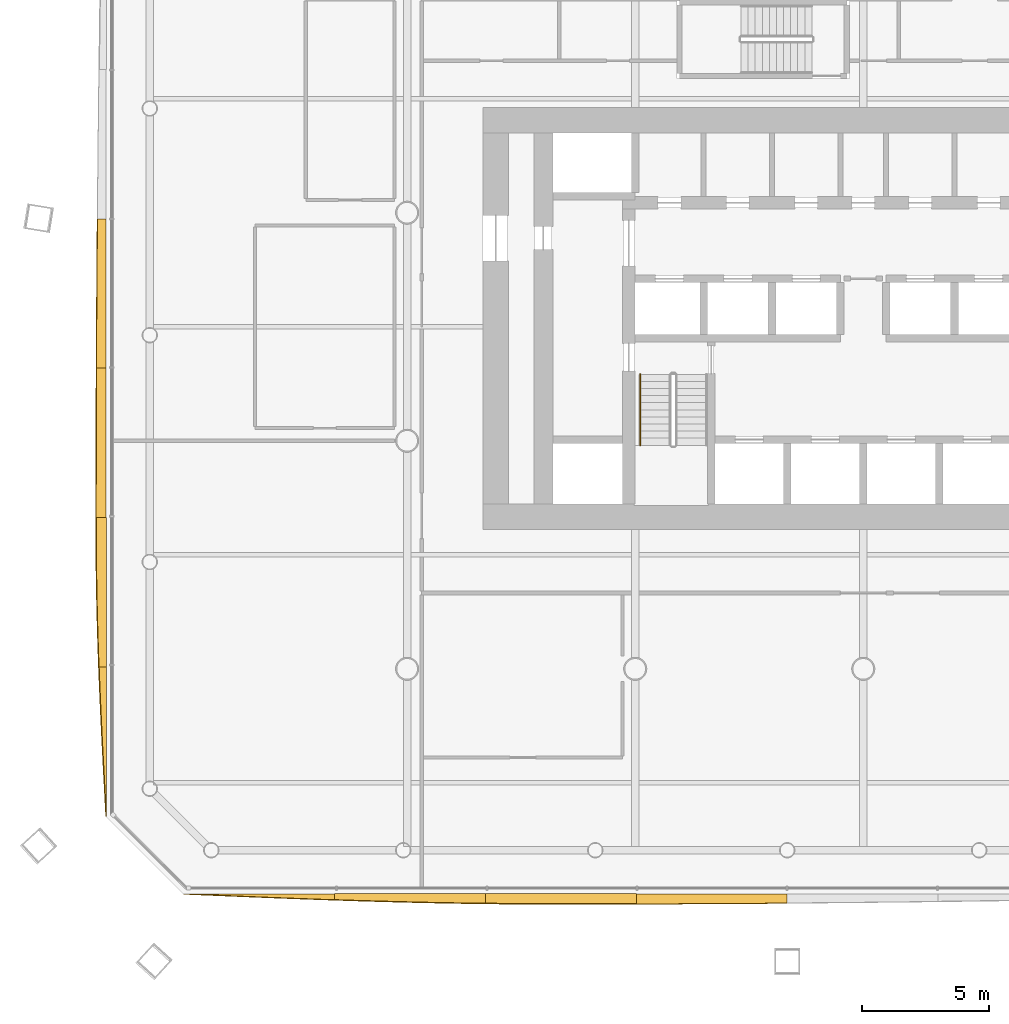
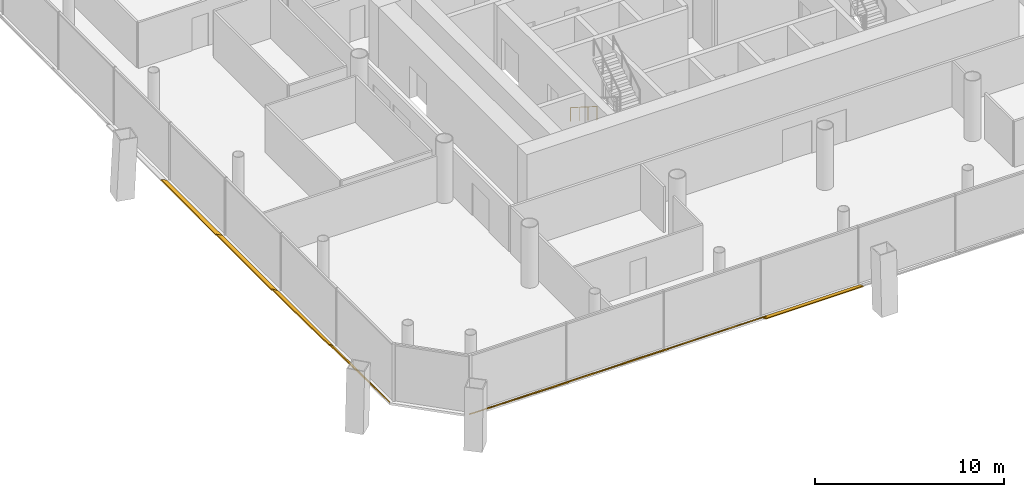
# One storey, part 17 of 21: 8 shading devices, 1 railing.
"""IFC4 building model written with IfcOpenShell, lengths in metres."""

from ifc_helpers import new_model, si_unit, direction, frame, origin, origin_2d, place, context, subcontext, project, spatial, polyline, circle, outline, extrude, material, layer, layer_set, type_object, element, save


model = new_model("IFC4")

# Units and contexts
model_context = context("Model", 3, precision=1e-05, world=origin(), true_north=direction((0.0, 1.0)))
body_context = subcontext(model_context, "Body", "Model", "MODEL_VIEW")
ifc_project = project(units=[si_unit("LENGTHUNIT", "METRE"), si_unit("AREAUNIT", "SQUARE_METRE"), si_unit("VOLUMEUNIT", "CUBIC_METRE"), si_unit("PLANEANGLEUNIT", "RADIAN"), si_unit("MASSUNIT", "GRAM", prefix="KILO")], contexts=[model_context])

# Site, building, storey
site_placement = place(None, origin())
site = spatial("IfcSite", under=ifc_project, at=site_placement, CompositionType="ELEMENT")
building_placement = place(site_placement, origin())
building = spatial("IfcBuilding", under=site, at=building_placement, Name="Tskaro Facet Tower", CompositionType="ELEMENT")
storey_placement = place(building_placement, frame((0.0, 0.0, 38.10009765625)))
storey = spatial("IfcBuildingStorey", under=building, at=storey_placement, Name="L08", CompositionType="ELEMENT", Elevation=38.10009765625)

# Shading devices
ifc_material_1 = material(Name="Bronze anodised aluminium 6063-T6", Category="aluminium")
ifc_layer = layer(ifc_material_1, 0.06005859375, Name="Bronze anodised aluminium 6063-T6")
ifc_layer_set = layer_set([ifc_layer], Name="Bronze anodised aluminium 6063-T6")
shading_device_type = type_object("IfcShadingDeviceType", Name="Bronze sun blade (FN1)", PredefinedType="USERDEFINED", material=ifc_layer_set)
shading_device_1_placement = place(storey_placement, frame((-26.81689453125, -26.8740234375, 0.0517578125), z_axis=(1.198374e-05, 0.500510562952, 0.865730429308), x_axis=(0.999999999928, -5.997988e-06, -1.0374688e-05)))
element("IfcShadingDevice", 1, at=shading_device_1_placement, inside=storey, type_object=shading_device_type, Name="Fin blade south 1", ObjectType="FIN", PredefinedType="USERDEFINED", context=body_context, shape_type="SweptSolid", body=[
    extrude(outline(polyline([(0.0, 0.0), (5.9541015620724655, 5.04332019473581e-21), (5.954101562892642, -0.2718136029045768), (5.2099609372305515, -0.24195555362344778), (4.465576172288894, -0.21034056468700307), (3.7211914076241226, -0.17730219102501762), (2.977050780259805, -0.14329618252893347), (2.2326660154760964, -0.10828950924352443), (1.4885253894571948, -0.07252656109212458), (0.744140623881841, -0.03643005801094976), (0.0, 0.0)])), origin(), (0.0, 0.0, -1.0), 0.06005859375),
])
shading_device_2_placement = place(storey_placement, frame((-20.86279296875, -26.86962890625, 0.049072265625), z_axis=(6.325602e-06, 0.573573273228, 0.819154259098), x_axis=(0.99999999998, -3.628196e-06, -5.181644e-06)))
element("IfcShadingDevice", 2, at=shading_device_2_placement, inside=storey, type_object=shading_device_type, Name="Fin blade south 2", ObjectType="FIN", PredefinedType="USERDEFINED", context=body_context, shape_type="SweptSolid", body=[
    extrude(outline(polyline([(0.0, 0.0), (5.954345703005874, 0.0), (5.954345703401537, -0.46191799391900346), (5.209960937274689, -0.4494575193568082), (4.465820312149542, -0.4336769073346093), (3.721435546903378, -0.4154561894256056), (2.977050781275402, -0.3945953767970054), (2.232910155890609, -0.3710944694488088), (1.4885253912705882, -0.34535344504659904), (0.7443847652494411, -0.31745237983240837), (-6.933297676126969e-12, -0.2873111975642046), (0.0, 0.0)])), origin(), (0.0, 0.0, -1.0), 0.06005859375),
])
shading_device_3_placement = place(storey_placement, frame((-14.908447265625, -26.865478515625, 0.0458984375), z_axis=(9.898493e-06, 0.642798514402, 0.76603529278), x_axis=(0.999999999951, -6.362737e-06, -7.582595e-06)))
element("IfcShadingDevice", 3, at=shading_device_3_placement, inside=storey, type_object=shading_device_type, Name="Fin blade south 3", ObjectType="FIN", PredefinedType="USERDEFINED", context=body_context, shape_type="SweptSolid", body=[
    extrude(outline(polyline([(0.0, 0.0), (5.954101562208308, -5.04332019473581e-21), (5.954101562720116, -0.5105248394756728), (5.209960937523074, -0.5127755812081738), (4.465576171998857, -0.5146823693744514), (3.7214355476952647, -0.515901250408282), (2.977050779957696, -0.5164021372055685), (2.7626953112181973, -0.5164021372055685), (2.2329101555897855, -0.5157142300731217), (1.4885253901704345, -0.5115567001743431), (0.7441406255802175, -0.5044605214106168), (-6.626832968080728e-10, -0.4940516531116217), (0.0, 0.0)])), origin(), (0.0, 0.0, -1.0), 0.06005859375),
])
shading_device_4_placement = place(storey_placement, frame((-8.954345703125, -26.883544921875, 0.056396484375), z_axis=(1.129418e-05, 0.341923085956, 0.939727941035), x_axis=(0.999999999936, -3.861741e-06, -1.0613456e-05)))
element("IfcShadingDevice", 4, at=shading_device_4_placement, inside=storey, type_object=shading_device_type, Name="Fin blade south 4", ObjectType="FIN", PredefinedType="USERDEFINED", context=body_context, shape_type="SweptSolid", body=[
    extrude(outline(polyline([(0.0, 0.0), (5.954345702745236, 0.0), (5.954345704042006, -0.38160333822785697), (5.209960936828479, -0.38763142670905687), (4.465820311888305, -0.3933466121074752), (3.7214355460858997, -0.398290042889374), (2.9772949225568457, -0.4029205705884912), (2.232910155574384, -0.40686282098700144), (1.4887695308652749, -0.41049216830273016), (0.7443847662367414, -0.4135791867688083), (-2.774075573219677e-10, -0.4162073537011485), (0.0, 0.0)])), origin(), (0.0, 0.0, -1.0), 0.06005859375),
])
shading_device_5_placement = place(storey_placement, frame((-29.878662109375, -0.239013671875, 0.05419921875), z_axis=(0.422868761191, 1.023664e-06, 0.906190935072), x_axis=(4.32875e-07, -0.999999999999, 9.27635e-07)))
element("IfcShadingDevice", 5, at=shading_device_5_placement, inside=storey, type_object=shading_device_type, Name="Fin blade west 5", ObjectType="FIN", PredefinedType="USERDEFINED", context=body_context, shape_type="SweptSolid", body=[
    extrude(outline(polyline([(0.0, 0.0), (5.894531249996912, 0.0), (5.894531250110525, -0.4200683901186823), (5.157714843634362, -0.4159239042506095), (4.4208984374903535, -0.411661419804929), (3.6840820312104468, -0.40652874240817377), (2.947265625036222, -0.40117482699016055), (2.2104492187412066, -0.395496434107239), (1.473632812431083, -0.38927232573815107), (0.7368164063323241, -0.38260574132654707), (1.1277436793811216e-10, -0.3756146794500348), (0.0, 0.0)])), origin(), (0.0, 0.0, -1.0), 0.06005859375),
])
shading_device_6_placement = place(storey_placement, frame((-29.8740234375, -6.133544921875, 0.0517578125), z_axis=(0.500176637369, -3.959601e-06, 0.865923398122), x_axis=(-1.9805e-06, -0.999999999992, -3.428711e-06)))
element("IfcShadingDevice", 6, at=shading_device_6_placement, inside=storey, type_object=shading_device_type, Name="Fin blade west 6", ObjectType="FIN", PredefinedType="USERDEFINED", context=body_context, shape_type="SweptSolid", body=[
    extrude(outline(polyline([(0.0, 0.0), (5.894531249953792, 0.0), (5.894531249742908, -0.4567776458860201), (5.157714843852251, -0.4564441253695404), (4.4208984373481215, -0.4553542701773383), (3.6840820311975575, -0.4539308944686564), (2.947265624917041, -0.4519625911638735), (2.2104492189900915, -0.4496607673426108), (1.4736328129331886, -0.44681401592524705), (0.7368164059092449, -0.44354445034864076), (-4.0756436914039227e-10, -0.4396078437390749), (0.0, 0.0)])), origin(), (0.0, 0.0, -1.0), 0.06005859375),
])
shading_device_7_placement = place(storey_placement, frame((-29.86962890625, -12.028076171875, 0.049072265625), z_axis=(0.573625282884, -8.323716e-06, 0.819117839366), x_axis=(-4.774694e-06, -0.999999999965, -6.818104e-06)))
element("IfcShadingDevice", 7, at=shading_device_7_placement, inside=storey, type_object=shading_device_type, Name="Fin blade west 7", ObjectType="FIN", PredefinedType="USERDEFINED", context=body_context, shape_type="SweptSolid", body=[
    extrude(outline(polyline([(0.0, 0.0), (5.894531249795802, 0.0), (5.894531249543256, -0.3502336594525895), (5.157714843205117, -0.3821349057985235), (4.420898438358681, -0.41003596055726016), (3.684082031007982, -0.4336769090813668), (2.947265625647866, -0.4529776408419338), (2.210449218282364, -0.46767824119152857), (1.4736328122406286, -0.47749861965998325), (0.7368164063569631, -0.48223879630603944), (0.3771972647466621, -0.4829188466587239), (-8.652710044384313e-10, -0.4829188466587239), (0.0, 0.0)])), origin(), (0.0, 0.0, -1.0), 0.06005859375),
])
shading_device_8_placement = place(storey_placement, frame((-29.865478515625, -17.922607421875, 0.0458984375), z_axis=(0.64290111538, 8.629547e-06, 0.765949186153), x_axis=(5.547945e-06, -0.999999999963, 6.609794e-06)))
element("IfcShadingDevice", 8, at=shading_device_8_placement, inside=storey, type_object=shading_device_type, Name="Fin blade west 8", ObjectType="FIN", PredefinedType="USERDEFINED", context=body_context, shape_type="SweptSolid", body=[
    extrude(outline(polyline([(0.0, 0.0), (5.8942871091555284, 0.0), (5.157470703491704, -0.052328129995004496), (4.4206542973093965, -0.10396834480368788), (3.6838378903493694, -0.1545766868328896), (2.9470214853205774, -0.20377915745654443), (2.2104492177476134, -0.25076092424110796), (1.4736328120576532, -0.2951179475276104), (0.7368164056482472, -0.3365363107557957), (-3.8536536203817416e-10, -0.3744850570194709), (0.0, 0.0)])), origin(), (0.0, 0.0, -1.0), 0.06005859375),
])

# Railing
ifc_material_2 = material(Name="Stainless steel", Category="steel")
railing_type = type_object("IfcRailingType", Name="RL-HANDRAIL-900", PredefinedType="HANDRAIL", material=ifc_material_2)
railing_placement = place(storey_placement, frame((-8.800048828125, -6.375, 0.17724609375)))
element("IfcRailing", 9, at=railing_placement, inside=storey, type_object=railing_type, Name="L08 ST-1 stair handrail 1", PredefinedType="HANDRAIL", context=body_context, shape_type="SweptSolid", body=[
    extrude(circle(Radius=0.02392578125, at=origin_2d()), frame((0.0, 0.0, 0.8759765625), z_axis=(0.0, -0.844908973607, 0.534910110503), x_axis=(1.0, 0.0, 0.0)), (0.0, 0.0, 1.0), 3.31396484375),
    extrude(circle(Radius=0.02099609375, at=origin_2d()), origin(), (0.0, 0.0, 1.0), 0.851806640625),
    extrude(circle(Radius=0.02099609375, at=origin_2d()), frame((0.0, -0.933349609375, 0.5908203125)), (0.0, 0.0, 1.0), 0.851806640625),
    extrude(circle(Radius=0.02099609375, at=origin_2d()), frame((0.0, -1.86669921875, 1.181884765625)), (0.0, 0.0, 1.0), 0.851806640625),
    extrude(circle(Radius=0.02099609375, at=origin_2d()), frame((0.0, -2.800048828125, 1.772705078125)), (0.0, 0.0, 1.0), 0.851806640625),
])

save(model, "model.ifc")
